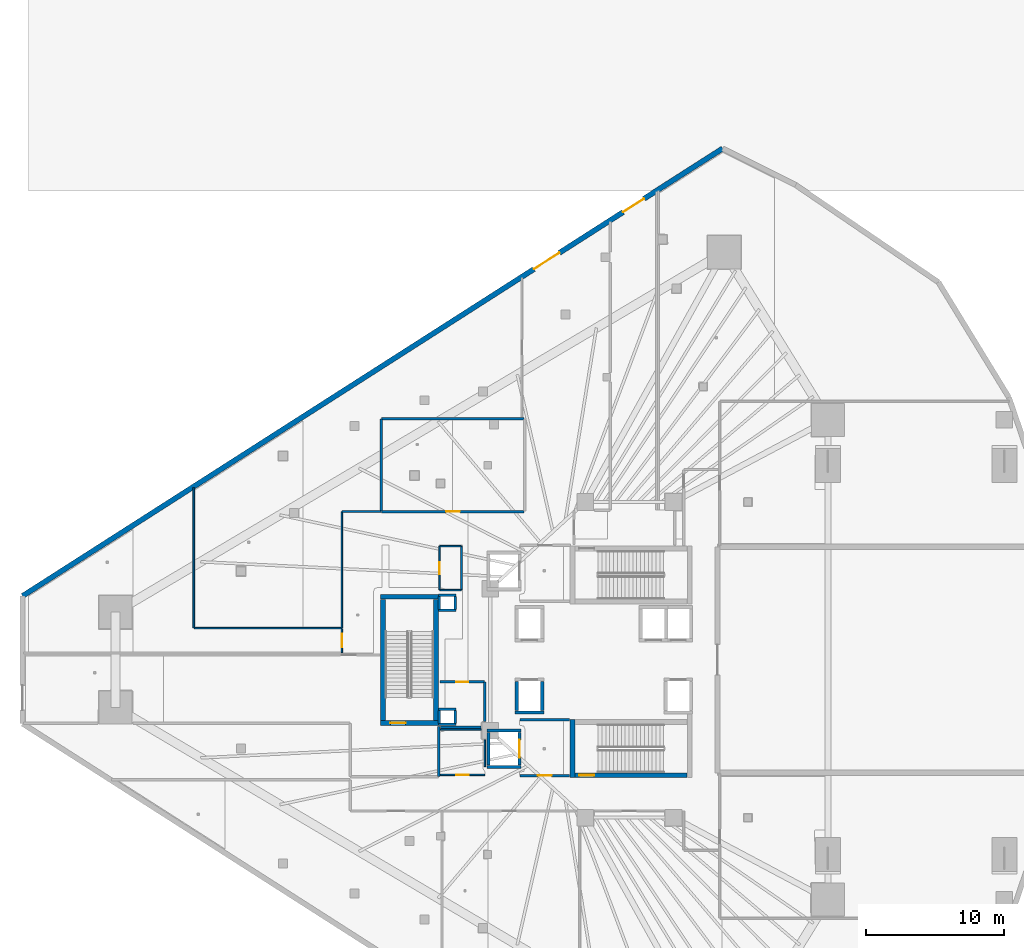
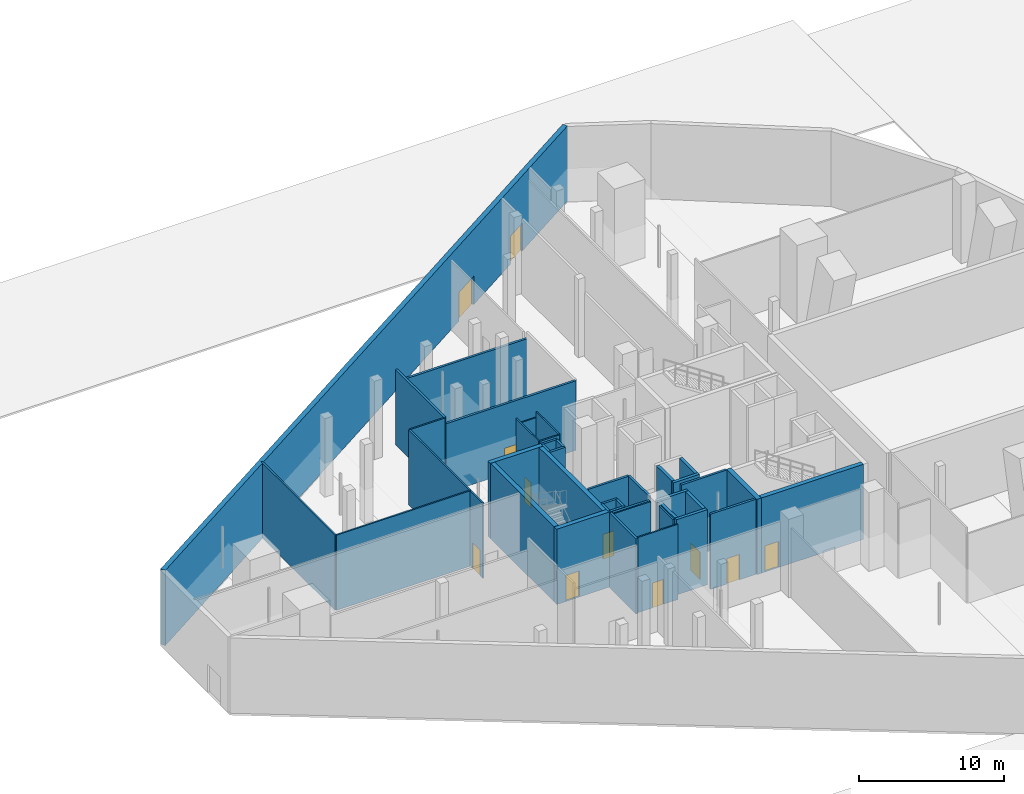
# One storey, part 27 of 45: 43 walls, 11 doors, 11 openings.
"""IFC4 building model written with IfcOpenShell, lengths in metres."""

from ifc_helpers import new_model, si_unit, direction, frame, frame_2d, origin, place, context, subcontext, project, spatial, rectangle, extrude, material, layer, layer_set, type_object, element, fill, save


model = new_model("IFC4")

# Units and contexts
model_context = context("Model", 3, precision=1e-05, world=origin(), true_north=direction((0.0, 1.0)))
body_context = subcontext(model_context, "Body", "Model", "MODEL_VIEW")
ifc_project = project(units=[si_unit("LENGTHUNIT", "METRE"), si_unit("AREAUNIT", "SQUARE_METRE"), si_unit("VOLUMEUNIT", "CUBIC_METRE"), si_unit("PLANEANGLEUNIT", "RADIAN"), si_unit("MASSUNIT", "GRAM", prefix="KILO")], contexts=[model_context])

# Site, building, storey
site_placement = place(None, origin())
site = spatial("IfcSite", under=ifc_project, at=site_placement, CompositionType="ELEMENT")
building_placement = place(site_placement, origin())
building = spatial("IfcBuilding", under=site, at=building_placement, Name="Qorvath Tower", CompositionType="ELEMENT")
storey_placement = place(building_placement, origin())
storey = spatial("IfcBuildingStorey", under=building, at=storey_placement, Name="L00", CompositionType="ELEMENT", Elevation=0.0)

# Walls
ifc_material_1 = material(Name="Gypsum shaftliner on steel studs", Category="steel")
ifc_layer_1 = layer(ifc_material_1, 0.179931640625)
ifc_layer_set_1 = layer_set([ifc_layer_1], Name="FW-LOBBY")
wall_type_1 = type_object("IfcWallType", Name="FW-LOBBY", PredefinedType="PARTITIONING", material=ifc_layer_set_1)
for number, where, z_axis, x_axis, name in (
    (1, (-32.989990234375, 3.594970703125, 0.0), (0.0, 0.0, 1.0), (-1.0, 0.0, 0.0), "MEP Riser Shaft Enclosure Wall N-L00-S"),
    (2, (-34.260009765625, 4.675048828125, 0.0), (0.0, 0.0, 1.0), (1.0, 0.0, 0.0), "MEP Riser Shaft Enclosure Wall N-L00-N"),
):
    element("IfcWall", number, at=place(storey_placement, frame(where, z_axis=z_axis, x_axis=x_axis)), inside=storey, type_object=wall_type_1, Name=name, PredefinedType="PARTITIONING", context=body_context, shape_type="SweptSolid", body=[
        extrude(rectangle(XDim=1.27001953125, YDim=0.179931640625, at=frame_2d((0.635009765625, 0.0))), origin(), (0.0, 0.0, 1.0), 6.340087890625),
    ])
for number, where, z_axis, x_axis, name in (
    (3, (-34.205078125, 3.659912109375, 0.0), (0.0, 0.0, 1.0), (0.0, 1.0, 0.0), "MEP Riser Shaft Enclosure Wall N-L00-W"),
    (4, (-33.044921875, 4.610107421875, 0.0), (0.0, 0.0, 1.0), (0.0, -1.0, 0.0), "MEP Riser Shaft Enclosure Wall N-L00-E"),
):
    element("IfcWall", number, at=place(storey_placement, frame(where, z_axis=z_axis, x_axis=x_axis)), inside=storey, type_object=wall_type_1, Name=name, PredefinedType="PARTITIONING", context=body_context, shape_type="SweptSolid", body=[
        extrude(rectangle(XDim=0.9501953125, YDim=0.179931640625, at=frame_2d((0.47509765625, 0.0))), origin(), (0.0, 0.0, 1.0), 6.340087890625),
    ])
for number, where, z_axis, x_axis, name in (
    (5, (-32.989990234375, -4.675048828125, 0.0), (0.0, 0.0, 1.0), (-1.0, 0.0, 0.0), "MEP Riser Shaft Enclosure Wall S-L00-S"),
    (6, (-34.260009765625, -3.594970703125, 0.0), (0.0, 0.0, 1.0), (1.0, 0.0, 0.0), "MEP Riser Shaft Enclosure Wall S-L00-N"),
):
    element("IfcWall", number, at=place(storey_placement, frame(where, z_axis=z_axis, x_axis=x_axis)), inside=storey, type_object=wall_type_1, Name=name, PredefinedType="PARTITIONING", context=body_context, shape_type="SweptSolid", body=[
        extrude(rectangle(XDim=1.27001953125, YDim=0.179931640625, at=frame_2d((0.635009765625, 0.0))), origin(), (0.0, 0.0, 1.0), 6.340087890625),
    ])
for number, where, z_axis, x_axis, name in (
    (7, (-34.205078125, -4.610107421875, 0.0), (0.0, 0.0, 1.0), (0.0, 1.0, 0.0), "MEP Riser Shaft Enclosure Wall S-L00-W"),
    (8, (-33.044921875, -3.659912109375, 0.0), (0.0, 0.0, 1.0), (0.0, -1.0, 0.0), "MEP Riser Shaft Enclosure Wall S-L00-E"),
):
    element("IfcWall", number, at=place(storey_placement, frame(where, z_axis=z_axis, x_axis=x_axis)), inside=storey, type_object=wall_type_1, Name=name, PredefinedType="PARTITIONING", context=body_context, shape_type="SweptSolid", body=[
        extrude(rectangle(XDim=0.9501953125, YDim=0.179931640625, at=frame_2d((0.47509765625, 0.0))), origin(), (0.0, 0.0, 1.0), 6.340087890625),
    ])
wall_1_placement = place(storey_placement, frame((-34.219970703125, -8.47509765625, 0.0), z_axis=(0.0, 0.0, 1.0), x_axis=(0.0, 1.0, 0.0)))
element("IfcWall", 9, at=wall_1_placement, inside=storey, type_object=wall_type_1, Name="Interior Partition IW-T1-L00-002", PredefinedType="PARTITIONING", context=body_context, shape_type="SweptSolid", body=[
    extrude(rectangle(XDim=3.635009765625, YDim=0.179931640625, at=frame_2d((1.8173828125, 0.0))), origin(), (0.0, 0.0, 1.0), 6.340087890625),
])

# Wall, opening, door
wall_2_placement = place(storey_placement, frame((-28.35498046875, -8.39990234375, 0.0), z_axis=(0.0, 0.0, 1.0), x_axis=(1.0, 0.0, 0.0)))
wall_2 = element("IfcWall", 10, at=wall_2_placement, inside=storey, type_object=wall_type_1, Name="Interior Partition IW-T1-L00-016", PredefinedType="PARTITIONING", context=body_context, shape_type="SweptSolid", body=[
    extrude(rectangle(XDim=3.6220703125, YDim=0.179931640625, at=frame_2d((1.81103515625, 0.0))), origin(), (0.0, 0.0, 1.0), 6.340087890625),
])
opening_1_placement = place(wall_2_placement, frame((1.31103515625, 0.0, 0.0)))
opening_1 = element("IfcOpeningElement", 11, at=opening_1_placement, cuts=wall_2, Name="Opening D-T1-L00-15", PredefinedType="OPENING", context=body_context, shape_type="SweptSolid", body=[
    extrude(rectangle(XDim=1.0, YDim=2.14990234375, at=frame_2d((0.5, 1.074951171875))), frame((0.0, 0.10009765625, 0.0), z_axis=(0.0, -1.0, 0.0), x_axis=(1.0, 0.0, 0.0)), (0.0, 0.0, 1.0), 0.199951171875),
])
ifc_material_2 = material(Name="Painted galvanised hollow metal", Category="steel")
door_type_1 = type_object("IfcDoorType", Name="FD-60", OperationType="NOTDEFINED", PredefinedType="DOOR", material=ifc_material_2)
door_1_placement = place(opening_1_placement, origin())
door_1 = element("IfcDoor", 12, at=door_1_placement, inside=storey, type_object=door_type_1, Name="Lobby Fire Service Elevator South Door D-T1-L00-15", OperationType="SINGLE_SWING_LEFT", OverallHeight=2.14990234375, OverallWidth=1.0, PredefinedType="DOOR", context=body_context, shape_type="SweptSolid", body=[
    extrude(rectangle(XDim=1.0, YDim=2.14990234375, at=frame_2d((0.5, 1.074951171875))), frame((0.0, 0.02490234375, 0.0), z_axis=(0.0, -1.0, 0.0), x_axis=(1.0, 0.0, 0.0)), (0.0, 0.0, 1.0), 0.050048828125),
])
fill(opening_1, door_1)

# Walls
wall_3_placement = place(storey_placement, frame((-24.73291015625, -4.35009765625, 0.0), z_axis=(0.0, 0.0, 1.0), x_axis=(-1.0, 0.0, 0.0)))
element("IfcWall", 13, at=wall_3_placement, inside=storey, type_object=wall_type_1, Name="Interior Partition IW-T1-L00-017", PredefinedType="PARTITIONING", context=body_context, shape_type="SweptSolid", body=[
    extrude(rectangle(XDim=3.6220703125, YDim=0.179931640625, at=frame_2d((1.81103515625, 0.0))), origin(), (0.0, 0.0, 1.0), 6.340087890625),
])
wall_4_placement = place(storey_placement, frame((-34.110107421875, -4.89990234375, 0.0), z_axis=(0.0, 0.0, 1.0), x_axis=(1.0, 0.0, 0.0)))
element("IfcWall", 14, at=wall_4_placement, inside=storey, type_object=wall_type_1, Name="Interior Partition IW-T1-L00-030", PredefinedType="PARTITIONING", context=body_context, shape_type="SweptSolid", body=[
    extrude(rectangle(XDim=2.945068359375, YDim=0.179931640625, at=frame_2d((1.47265625, 0.0))), origin(), (0.0, 0.0, 1.0), 6.340087890625),
])
wall_5_placement = place(storey_placement, frame((-30.8798828125, -4.485107421875, 0.0), z_axis=(0.0, 0.0, 1.0), x_axis=(0.0, 1.0, 0.0)))
element("IfcWall", 15, at=wall_5_placement, inside=storey, type_object=wall_type_1, Name="Interior Partition IW-T1-L00-031", PredefinedType="PARTITIONING", context=body_context, shape_type="SweptSolid", body=[
    extrude(rectangle(XDim=2.860107421875, YDim=0.179931640625, at=frame_2d((1.43017578125, 0.0))), origin(), (0.0, 0.0, 1.0), 6.340087890625),
])

# Wall, opening, door
wall_6_placement = place(storey_placement, frame((-30.90478515625, -1.60009765625, 0.0), z_axis=(0.0, 0.0, 1.0), x_axis=(-1.0, 0.0, 0.0)))
wall_6 = element("IfcWall", 16, at=wall_6_placement, inside=storey, type_object=wall_type_1, Name="Interior Partition IW-T1-L00-032", PredefinedType="PARTITIONING", context=body_context, shape_type="SweptSolid", body=[
    extrude(rectangle(XDim=3.25, YDim=0.179931640625, at=frame_2d((1.625, 0.0))), origin(), (0.0, 0.0, 1.0), 6.340087890625),
])
opening_2_placement = place(wall_6_placement, frame((1.18505859375, 0.0, 0.0)))
opening_2 = element("IfcOpeningElement", 17, at=opening_2_placement, cuts=wall_6, Name="Opening D-T1-L00-05", PredefinedType="OPENING", context=body_context, shape_type="SweptSolid", body=[
    extrude(rectangle(XDim=0.8798828125, YDim=2.10009765625, at=frame_2d((0.43994140625, 1.050048828125))), frame((0.0, 0.10009765625, 0.0), z_axis=(0.0, -1.0, 0.0), x_axis=(1.0, 0.0, 0.0)), (0.0, 0.0, 1.0), 0.199951171875),
])
ifc_material_3 = material(Name="Painted galvanised hollow metal", Category="steel")
door_type_2 = type_object("IfcDoorType", Name="FD-60N", OperationType="NOTDEFINED", PredefinedType="DOOR", material=ifc_material_3)
door_2_placement = place(opening_2_placement, origin())
door_2 = element("IfcDoor", 18, at=door_2_placement, inside=storey, type_object=door_type_2, Name="Core electrical room L00 Door D-T1-L00-05", OperationType="SINGLE_SWING_LEFT", OverallHeight=2.10009765625, OverallWidth=0.8798828125, PredefinedType="DOOR", context=body_context, shape_type="SweptSolid", body=[
    extrude(rectangle(XDim=0.8798828125, YDim=2.10009765625, at=frame_2d((0.43994140625, 1.050048828125))), frame((0.0, 0.02490234375, 0.0), z_axis=(0.0, -1.0, 0.0), x_axis=(1.0, 0.0, 0.0)), (0.0, 0.0, 1.0), 0.050048828125),
])
fill(opening_2, door_2)

wall_7_placement = place(storey_placement, frame((-38.375, 10.758056640625, 0.0), z_axis=(0.0, 0.0, 1.0), x_axis=(1.0, 0.0, 0.0)))
wall_7 = element("IfcWall", 19, at=wall_7_placement, inside=storey, type_object=wall_type_1, Name="Interior Partition IW-T1-L00-033", PredefinedType="PARTITIONING", context=body_context, shape_type="SweptSolid", body=[
    extrude(rectangle(XDim=10.341796875, YDim=0.179931640625, at=frame_2d((5.1708984375, 0.0))), origin(), (0.0, 0.0, 1.0), 5.85302734375),
])
opening_3_placement = place(wall_7_placement, frame((4.6708984375, 0.0, 0.0)))
opening_3 = element("IfcOpeningElement", 20, at=opening_3_placement, cuts=wall_7, Name="Opening D-T1-L00-06", PredefinedType="OPENING", context=body_context, shape_type="SweptSolid", body=[
    extrude(rectangle(XDim=1.0, YDim=2.14990234375, at=frame_2d((0.5, 1.074951171875))), frame((0.0, 0.10009765625, 0.0), z_axis=(0.0, -1.0, 0.0), x_axis=(1.0, 0.0, 0.0)), (0.0, 0.0, 1.0), 0.199951171875),
])
door_3_placement = place(opening_3_placement, origin())
door_3 = element("IfcDoor", 21, at=door_3_placement, inside=storey, type_object=door_type_1, Name="Fire Command Center Door D-T1-L00-06", OperationType="SINGLE_SWING_RIGHT", OverallHeight=2.14990234375, OverallWidth=1.0, PredefinedType="DOOR", context=body_context, shape_type="SweptSolid", body=[
    extrude(rectangle(XDim=1.0, YDim=2.14990234375, at=frame_2d((0.5, 1.074951171875))), frame((0.0, 0.02490234375, 0.0), z_axis=(0.0, -1.0, 0.0), x_axis=(1.0, 0.0, 0.0)), (0.0, 0.0, 1.0), 0.050048828125),
])
fill(opening_3, door_3)

# Walls
wall_8_placement = place(storey_placement, frame((-28.033203125, 17.5, 0.0), z_axis=(0.0, 0.0, 1.0), x_axis=(-1.0, 0.0, 0.0)))
element("IfcWall", 22, at=wall_8_placement, inside=storey, type_object=wall_type_1, Name="Interior Partition IW-T1-L00-035", PredefinedType="PARTITIONING", context=body_context, shape_type="SweptSolid", body=[
    extrude(rectangle(XDim=10.341796875, YDim=0.179931640625, at=frame_2d((5.1708984375, 0.0))), origin(), (0.0, 0.0, 1.0), 5.31005859375),
])
wall_9_placement = place(storey_placement, frame((-38.39990234375, 17.47509765625, 0.0), z_axis=(0.0, 0.0, 1.0), x_axis=(0.0, -1.0, 0.0)))
element("IfcWall", 23, at=wall_9_placement, inside=storey, type_object=wall_type_1, Name="Interior Partition IW-T1-L00-036", PredefinedType="PARTITIONING", context=body_context, shape_type="SweptSolid", body=[
    extrude(rectangle(XDim=6.69189453125, YDim=0.179931640625, at=frame_2d((3.345947265625, 0.0))), origin(), (0.0, 0.0, 1.0), 6.340087890625),
])
ifc_material_4 = material(Name="Gypsum board on metal studs with mineral wool", Category="gypsum")
ifc_layer_2 = layer(ifc_material_4, 0.125)
ifc_layer_set_2 = layer_set([ifc_layer_2], Name="IW-PART-125")
wall_type_2 = type_object("IfcWallType", Name="IW-PART-125", PredefinedType="PARTITIONING", material=ifc_layer_set_2)
wall_10_placement = place(storey_placement, frame((-52.0, 12.494384765625, 0.0), z_axis=(0.0, 0.0, 1.0), x_axis=(0.0, -1.0, 0.0)))
element("IfcWall", 24, at=wall_10_placement, inside=storey, type_object=wall_type_2, Name="Interior Partition IW-T1-L00-049", PredefinedType="PARTITIONING", context=body_context, shape_type="SweptSolid", body=[
    extrude(rectangle(XDim=10.16943359375, YDim=0.125, at=frame_2d((5.084716796875, 0.0))), origin(), (0.0, 0.0, 1.0), 6.340087890625),
])
wall_11_placement = place(storey_placement, frame((-51.97509765625, 2.300048828125, 0.0), z_axis=(0.0, 0.0, 1.0), x_axis=(1.0, 0.0, 0.0)))
element("IfcWall", 25, at=wall_11_placement, inside=storey, type_object=wall_type_2, Name="Interior Partition IW-T1-L00-050", PredefinedType="PARTITIONING", context=body_context, shape_type="SweptSolid", body=[
    extrude(rectangle(XDim=10.69189453125, YDim=0.125, at=frame_2d((5.345947265625, 0.0))), origin(), (0.0, 0.0, 1.0), 6.340087890625),
])
wall_12_placement = place(storey_placement, frame((-41.258056640625, 2.324951171875, 0.0), z_axis=(0.0, 0.0, 1.0), x_axis=(0.0, 1.0, 0.0)))
element("IfcWall", 26, at=wall_12_placement, inside=storey, type_object=wall_type_2, Name="Interior Partition IW-T1-L00-051", PredefinedType="PARTITIONING", context=body_context, shape_type="SweptSolid", body=[
    extrude(rectangle(XDim=8.408203125, YDim=0.125, at=frame_2d((4.2041015625, 0.0))), origin(), (0.0, 0.0, 1.0), 6.340087890625),
])
wall_13_placement = place(storey_placement, frame((-41.233154296875, 10.758056640625, 0.0), z_axis=(0.0, 0.0, 1.0), x_axis=(1.0, 0.0, 0.0)))
element("IfcWall", 27, at=wall_13_placement, inside=storey, type_object=wall_type_2, Name="Interior Partition IW-T1-L00-052", PredefinedType="PARTITIONING", context=body_context, shape_type="SweptSolid", body=[
    extrude(rectangle(XDim=2.800048828125, YDim=0.125, at=frame_2d((1.39990234375, 0.0))), origin(), (0.0, 0.0, 1.0), 6.340087890625),
])

# Wall, opening, door
wall_14_placement = place(storey_placement, frame((-41.258056640625, 0.52490234375, 0.0), z_axis=(0.0, 0.0, 1.0), x_axis=(0.0, 1.0, 0.0)))
wall_14 = element("IfcWall", 28, at=wall_14_placement, inside=storey, type_object=wall_type_2, Name="Interior Partition IW-T1-L00-054", PredefinedType="PARTITIONING", context=body_context, shape_type="SweptSolid", body=[
    extrude(rectangle(XDim=1.7421875, YDim=0.125, at=frame_2d((0.87109375, 0.0))), origin(), (0.0, 0.0, 1.0), 6.340087890625),
])
opening_4_placement = place(wall_14_placement, frame((0.37109375, 0.0, 0.0)))
opening_4 = element("IfcOpeningElement", 29, at=opening_4_placement, cuts=wall_14, Name="Opening D-T1-L00-12", PredefinedType="OPENING", context=body_context, shape_type="SweptSolid", body=[
    extrude(rectangle(XDim=1.0, YDim=2.14990234375, at=frame_2d((0.5, 1.074951171875))), frame((0.0, 0.072509765625, 0.0), z_axis=(0.0, -1.0, 0.0), x_axis=(1.0, 0.0, 0.0)), (0.0, 0.0, 1.0), 0.14501953125),
])
door_4_placement = place(opening_4_placement, origin())
door_4 = element("IfcDoor", 30, at=door_4_placement, inside=storey, type_object=door_type_1, Name="Tenant Package and Logistics Suite Door D-T1-L00-12", OperationType="SINGLE_SWING_RIGHT", OverallHeight=2.14990234375, OverallWidth=1.0, PredefinedType="DOOR", context=body_context, shape_type="SweptSolid", body=[
    extrude(rectangle(XDim=1.0, YDim=2.14990234375, at=frame_2d((0.5, 1.074951171875))), frame((0.0, 0.02490234375, 0.0), z_axis=(0.0, -1.0, 0.0), x_axis=(1.0, 0.0, 0.0)), (0.0, 0.0, 1.0), 0.050048828125),
])
fill(opening_4, door_4)

ifc_material_5 = material(Name="Moisture-resistant cement board on metal studs", Category="gypsum")
ifc_layer_3 = layer(ifc_material_5, 0.110107421875)
ifc_layer_set_3 = layer_set([ifc_layer_3], Name="IW-WC-110")
wall_type_3 = type_object("IfcWallType", Name="IW-WC-110", PredefinedType="PARTITIONING", material=ifc_layer_set_3)
wall_15_placement = place(storey_placement, frame((-34.179931640625, 8.22509765625, 0.0), z_axis=(0.0, 0.0, 1.0), x_axis=(0.0, -1.0, 0.0)))
wall_15 = element("IfcWall", 31, at=wall_15_placement, inside=storey, type_object=wall_type_3, Name="Interior Partition IW-T1-L00-018", PredefinedType="PARTITIONING", context=body_context, shape_type="SweptSolid", body=[
    extrude(rectangle(XDim=3.150146484375, YDim=0.110107421875, at=frame_2d((1.5751953125, 0.0))), origin(), (0.0, 0.0, 1.0), 6.340087890625),
])
opening_5_placement = place(wall_15_placement, frame((1.135009765625, 0.0, 0.0)))
opening_5 = element("IfcOpeningElement", 32, at=opening_5_placement, cuts=wall_15, Name="Opening D-T1-L00-03", PredefinedType="OPENING", context=body_context, shape_type="SweptSolid", body=[
    extrude(rectangle(XDim=0.8798828125, YDim=2.10009765625, at=frame_2d((0.43994140625, 1.050048828125))), frame((0.0, 0.06494140625, 0.0), z_axis=(0.0, -1.0, 0.0), x_axis=(1.0, 0.0, 0.0)), (0.0, 0.0, 1.0), 0.130126953125),
])
ifc_material_6 = material(Name="Solid-core oak with acoustic drop seal", Category="wood")
door_type_3 = type_object("IfcDoorType", Name="D-02", OperationType="NOTDEFINED", PredefinedType="DOOR", material=ifc_material_6)
door_5_placement = place(opening_5_placement, origin())
door_5 = element("IfcDoor", 33, at=door_5_placement, inside=storey, type_object=door_type_3, Name="WC All-Gender North L00 Door D-T1-L00-03", OperationType="SINGLE_SWING_LEFT", OverallHeight=2.10009765625, OverallWidth=0.8798828125, PredefinedType="DOOR", context=body_context, shape_type="SweptSolid", body=[
    extrude(rectangle(XDim=0.8798828125, YDim=2.10009765625, at=frame_2d((0.43994140625, 1.050048828125))), frame((0.0, 0.02490234375, 0.0), z_axis=(0.0, -1.0, 0.0), x_axis=(1.0, 0.0, 0.0)), (0.0, 0.0, 1.0), 0.050048828125),
])
fill(opening_5, door_5)

# Walls
wall_16_placement = place(storey_placement, frame((-34.15478515625, 5.050048828125, 0.0), z_axis=(0.0, 0.0, 1.0), x_axis=(1.0, 0.0, 0.0)))
element("IfcWall", 34, at=wall_16_placement, inside=storey, type_object=wall_type_3, Name="Interior Partition IW-T1-L00-019", PredefinedType="PARTITIONING", context=body_context, shape_type="SweptSolid", body=[
    extrude(rectangle(XDim=1.5498046875, YDim=0.110107421875, at=frame_2d((0.77490234375, 0.0))), origin(), (0.0, 0.0, 1.0), 6.340087890625),
])
wall_17_placement = place(storey_placement, frame((-32.580078125, 5.074951171875, 0.0), z_axis=(0.0, 0.0, 1.0), x_axis=(0.0, 1.0, 0.0)))
element("IfcWall", 35, at=wall_17_placement, inside=storey, type_object=wall_type_3, Name="Interior Partition IW-T1-L00-020", PredefinedType="PARTITIONING", context=body_context, shape_type="SweptSolid", body=[
    extrude(rectangle(XDim=3.150146484375, YDim=0.110107421875, at=frame_2d((1.5751953125, 0.0))), origin(), (0.0, 0.0, 1.0), 6.340087890625),
])
wall_18_placement = place(storey_placement, frame((-32.60498046875, 8.25, 0.0), z_axis=(0.0, 0.0, 1.0), x_axis=(-1.0, 0.0, 0.0)))
element("IfcWall", 36, at=wall_18_placement, inside=storey, type_object=wall_type_3, Name="Interior Partition IW-T1-L00-021", PredefinedType="PARTITIONING", context=body_context, shape_type="SweptSolid", body=[
    extrude(rectangle(XDim=1.5498046875, YDim=0.110107421875, at=frame_2d((0.77490234375, 0.0))), origin(), (0.0, 0.0, 1.0), 5.85302734375),
])

# Wall, opening, door
wall_19_placement = place(storey_placement, frame((-34.110107421875, -8.35009765625, 0.0), z_axis=(0.0, 0.0, 1.0), x_axis=(1.0, 0.0, 0.0)))
wall_19 = element("IfcWall", 37, at=wall_19_placement, inside=storey, type_object=wall_type_3, Name="Interior Partition IW-T1-L00-022", PredefinedType="PARTITIONING", context=body_context, shape_type="SweptSolid", body=[
    extrude(rectangle(XDim=3.205322265625, YDim=0.110107421875, at=frame_2d((1.6025390625, 0.0))), origin(), (0.0, 0.0, 1.0), 6.340087890625),
])
opening_6_placement = place(wall_19_placement, frame((1.16259765625, 0.0, 0.0)))
opening_6 = element("IfcOpeningElement", 38, at=opening_6_placement, cuts=wall_19, Name="Opening D-T1-L00-16", PredefinedType="OPENING", context=body_context, shape_type="SweptSolid", body=[
    extrude(rectangle(XDim=0.8798828125, YDim=2.10009765625, at=frame_2d((0.43994140625, 1.050048828125))), frame((0.0, 0.06494140625, 0.0), z_axis=(0.0, -1.0, 0.0), x_axis=(1.0, 0.0, 0.0)), (0.0, 0.0, 1.0), 0.130126953125),
])
door_6_placement = place(opening_6_placement, origin())
door_6 = element("IfcDoor", 39, at=door_6_placement, inside=storey, type_object=door_type_2, Name="Accessible WC South L00 Door D-T1-L00-16", OperationType="SINGLE_SWING_RIGHT", OverallHeight=2.10009765625, OverallWidth=0.8798828125, PredefinedType="DOOR", context=body_context, shape_type="SweptSolid", body=[
    extrude(rectangle(XDim=0.8798828125, YDim=2.10009765625, at=frame_2d((0.43994140625, 1.050048828125))), frame((0.0, 0.02490234375, 0.0), z_axis=(0.0, -1.0, 0.0), x_axis=(1.0, 0.0, 0.0)), (0.0, 0.0, 1.0), 0.050048828125),
])
fill(opening_6, door_6)

# Walls
wall_20_placement = place(storey_placement, frame((-30.8798828125, -7.742919921875, 0.0), z_axis=(0.0, 0.0, 1.0), x_axis=(0.0, 1.0, 0.0)))
element("IfcWall", 40, at=wall_20_placement, inside=storey, type_object=wall_type_3, Name="Interior Partition IW-T1-L00-023", PredefinedType="PARTITIONING", context=body_context, shape_type="SweptSolid", body=[
    extrude(rectangle(XDim=1.927978515625, YDim=0.110107421875, at=frame_2d((0.9638671875, 0.0))), origin(), (0.0, 0.0, 1.0), 6.340087890625),
])
wall_21_placement = place(storey_placement, frame((-31.1650390625, -5.050048828125, 0.0), z_axis=(0.0, 0.0, 1.0), x_axis=(-1.0, 0.0, 0.0)))
element("IfcWall", 41, at=wall_21_placement, inside=storey, type_object=wall_type_3, Name="Interior Partition IW-T1-L00-024", PredefinedType="PARTITIONING", context=body_context, shape_type="SweptSolid", body=[
    extrude(rectangle(XDim=2.945068359375, YDim=0.110107421875, at=frame_2d((1.47265625, 0.0))), origin(), (0.0, 0.0, 1.0), 6.340087890625),
])
ifc_material_7 = material(Name="Concrete C60/75", Category="concrete")
ifc_layer_4 = layer(ifc_material_7, 0.260009765625)
ifc_layer_set_4 = layer_set([ifc_layer_4], Name="SW-SHAFT")
wall_type_4 = type_object("IfcWallType", Name="SW-SHAFT", PredefinedType="SHEAR", material=ifc_layer_set_4)
for number, where, z_axis, x_axis, name in (
    (42, (-28.260009765625, -7.77001953125, 0.0), (0.0, 0.0, 1.0), (-1.0, 0.0, 0.0), "Hoistway Wall FSAE-2 L00 S"),
    (43, (-30.739990234375, -5.1298828125, 0.0), (0.0, 0.0, 1.0), (1.0, 0.0, 0.0), "Hoistway Wall FSAE-2 L00 N"),
):
    element("IfcWall", number, at=place(storey_placement, frame(where, z_axis=z_axis, x_axis=x_axis)), inside=storey, type_object=wall_type_4, Name=name, PredefinedType="SHEAR", context=body_context, shape_type="SweptSolid", body=[
        extrude(rectangle(XDim=2.47998046875, YDim=0.239990234375, at=frame_2d((1.239990234375, 0.0))), origin(), (0.0, 0.0, 1.0), 6.340087890625),
    ])
wall_22_placement = place(storey_placement, frame((-30.6201171875, -7.637939453125, 0.0), z_axis=(0.0, 0.0, 1.0), x_axis=(0.0, 1.0, 0.0)))
element("IfcWall", 44, at=wall_22_placement, inside=storey, type_object=wall_type_4, Name="Hoistway Wall FSAE-2 L00 W", PredefinedType="SHEAR", context=body_context, shape_type="SweptSolid", body=[
    extrude(rectangle(XDim=2.3759765625, YDim=0.239990234375, at=frame_2d((1.18798828125, 0.0))), origin(), (0.0, 0.0, 1.0), 6.340087890625),
])

# Wall, opening, door
wall_23_placement = place(storey_placement, frame((-28.3798828125, -5.261962890625, 0.0), z_axis=(0.0, 0.0, 1.0), x_axis=(0.0, -1.0, 0.0)))
wall_23 = element("IfcWall", 45, at=wall_23_placement, inside=storey, type_object=wall_type_4, Name="Hoistway Wall FSAE-2 L00 E", PredefinedType="SHEAR", context=body_context, shape_type="SweptSolid", body=[
    extrude(rectangle(XDim=2.3759765625, YDim=0.239990234375, at=frame_2d((1.18798828125, 0.0))), origin(), (0.0, 0.0, 1.0), 6.340087890625),
])
opening_7_placement = place(wall_23_placement, frame((0.5380859375, 0.0, 0.0)))
opening_7 = element("IfcOpeningElement", 46, at=opening_7_placement, cuts=wall_23, Name="Opening LD-FSAE-2-L00", PredefinedType="OPENING", context=body_context, shape_type="SweptSolid", body=[
    extrude(rectangle(XDim=1.300048828125, YDim=2.300048828125, at=frame_2d((0.64990234375, 1.14990234375))), frame((0.0, 0.1298828125, 0.0), z_axis=(0.0, -1.0, 0.0), x_axis=(1.0, 0.0, 0.0)), (0.0, 0.0, 1.0), 0.260009765625),
])
ifc_material_8 = material(Name="Brushed stainless steel AISI 316", Category="steel")
door_type_4 = type_object("IfcDoorType", Name="LD-02", OperationType="NOTDEFINED", PredefinedType="DOOR", material=ifc_material_8)
door_7_placement = place(opening_7_placement, origin())
door_7 = element("IfcDoor", 47, at=door_7_placement, inside=storey, type_object=door_type_4, Name="Elevator Landing Sliding Door LD-FSAE-2-L00", OperationType="DOUBLE_DOOR_SLIDING", OverallHeight=2.300048828125, OverallWidth=1.300048828125, PredefinedType="DOOR", context=body_context, shape_type="SweptSolid", body=[
    extrude(rectangle(XDim=1.300048828125, YDim=2.300048828125, at=frame_2d((0.64990234375, 1.14990234375))), frame((0.0, 0.02490234375, 0.0), z_axis=(0.0, -1.0, 0.0), x_axis=(1.0, 0.0, 0.0)), (0.0, 0.0, 1.0), 0.050048828125),
])
fill(opening_7, door_7)

# Walls
wall_24_placement = place(storey_placement, frame((-26.610107421875, -3.820068359375, 0.0), z_axis=(0.0, 0.0, 1.0), x_axis=(-1.0, 0.0, 0.0)))
element("IfcWall", 48, at=wall_24_placement, inside=storey, type_object=wall_type_4, Name="Hoistway Wall PS-2 L00 S", PredefinedType="SHEAR", context=body_context, shape_type="SweptSolid", body=[
    extrude(rectangle(XDim=2.079833984375, YDim=0.239990234375, at=frame_2d((1.0400390625, 0.0))), origin(), (0.0, 0.0, 1.0), 6.340087890625),
])
for number, where, z_axis, x_axis, name in (
    (49, (-28.570068359375, -3.68798828125, 0.0), (0.0, 0.0, 1.0), (0.0, 1.0, 0.0), "Hoistway Wall PS-2 L00 W"),
    (50, (-26.72998046875, -1.56201171875, 0.0), (0.0, 0.0, 1.0), (0.0, -1.0, 0.0), "Hoistway Wall PS-2 L00 E"),
):
    element("IfcWall", number, at=place(storey_placement, frame(where, z_axis=z_axis, x_axis=x_axis)), inside=storey, type_object=wall_type_4, Name=name, PredefinedType="SHEAR", context=body_context, shape_type="SweptSolid", body=[
        extrude(rectangle(XDim=2.1259765625, YDim=0.239990234375, at=frame_2d((1.06298828125, 0.0))), origin(), (0.0, 0.0, 1.0), 6.340087890625),
    ])
ifc_material_9 = material(Name="Concrete C60/75", Category="concrete")
ifc_layer_5 = layer(ifc_material_9, 0.35009765625)
ifc_layer_set_5 = layer_set([ifc_layer_5], Name="SW-STAIR")
wall_type_5 = type_object("IfcWallType", Name="SW-STAIR", PredefinedType="SHEAR", material=ifc_layer_set_5)
wall_25_placement = place(storey_placement, frame((-24.52490234375, -4.340087890625, 0.0), z_axis=(0.0, 0.0, 1.0), x_axis=(0.0, -1.0, 0.0)))
element("IfcWall", 51, at=wall_25_placement, inside=storey, type_object=wall_type_5, Name="Stair TS2 Shear Wall L00 NEAR", PredefinedType="SHEAR", context=body_context, shape_type="SweptSolid", body=[
    extrude(rectangle(XDim=4.2099609375, YDim=0.35009765625, at=frame_2d((2.10498046875, 0.0))), origin(), (0.0, 0.0, 1.0), 6.340087890625),
])

# Wall, opening, door
wall_26_placement = place(storey_placement, frame((-16.215087890625, -8.375, 0.0), z_axis=(0.0, 0.0, 1.0), x_axis=(-1.0, 0.0, 0.0)))
wall_26 = element("IfcWall", 52, at=wall_26_placement, inside=storey, type_object=wall_type_5, Name="Stair TS2 Shear Wall L00 LEFT", PredefinedType="SHEAR", context=body_context, shape_type="SweptSolid", body=[
    extrude(rectangle(XDim=8.119873046875, YDim=0.35009765625, at=frame_2d((4.06005859375, 0.0))), origin(), (0.0, 0.0, 1.0), 6.340087890625),
])
opening_8_placement = place(wall_26_placement, frame((6.739990234375, 0.0, 0.0)))
opening_8 = element("IfcOpeningElement", 53, at=opening_8_placement, cuts=wall_26, Name="Opening D-TS2-L00", PredefinedType="OPENING", context=body_context, shape_type="SweptSolid", body=[
    extrude(rectangle(XDim=1.10009765625, YDim=2.199951171875, at=frame_2d((0.550048828125, 1.10009765625))), frame((0.0, 0.18505859375, 0.0), z_axis=(0.0, -1.0, 0.0), x_axis=(1.0, 0.0, 0.0)), (0.0, 0.0, 1.0), 0.3701171875),
])
ifc_material_10 = material(Name="Painted galvanised hollow metal", Category="steel")
door_type_5 = type_object("IfcDoorType", Name="FD-90", OperationType="NOTDEFINED", PredefinedType="DOOR", material=ifc_material_10)
door_8_placement = place(opening_8_placement, origin())
door_8 = element("IfcDoor", 54, at=door_8_placement, inside=storey, type_object=door_type_5, Name="Stair TS2 Fire Door L00", OperationType="SINGLE_SWING_LEFT", OverallHeight=2.199951171875, OverallWidth=1.10009765625, PredefinedType="DOOR", context=body_context, shape_type="SweptSolid", body=[
    extrude(rectangle(XDim=1.10009765625, YDim=2.199951171875, at=frame_2d((0.550048828125, 1.10009765625))), frame((0.0, 0.02490234375, 0.0), z_axis=(0.0, -1.0, 0.0), x_axis=(1.0, 0.0, 0.0)), (0.0, 0.0, 1.0), 0.050048828125),
])
fill(opening_8, door_8)

wall_27_placement = place(storey_placement, frame((-34.25, -4.574951171875, 0.0), z_axis=(0.0, 0.0, 1.0), x_axis=(-1.0, 0.0, 0.0)))
wall_27 = element("IfcWall", 55, at=wall_27_placement, inside=storey, type_object=wall_type_5, Name="Stair TS3 Shear Wall L00 NEAR", PredefinedType="SHEAR", context=body_context, shape_type="SweptSolid", body=[
    extrude(rectangle(XDim=4.2099609375, YDim=0.35009765625, at=frame_2d((2.10498046875, 0.0))), origin(), (0.0, 0.0, 1.0), 6.340087890625),
])
opening_9_placement = place(wall_27_placement, frame((2.389892578125, 0.0, 0.0)))
opening_9 = element("IfcOpeningElement", 56, at=opening_9_placement, cuts=wall_27, Name="Opening D-TS3-L00", PredefinedType="OPENING", context=body_context, shape_type="SweptSolid", body=[
    extrude(rectangle(XDim=1.10009765625, YDim=2.199951171875, at=frame_2d((0.550048828125, 1.10009765625))), frame((0.0, 0.18505859375, 0.0), z_axis=(0.0, -1.0, 0.0), x_axis=(1.0, 0.0, 0.0)), (0.0, 0.0, 1.0), 0.3701171875),
])
door_9_placement = place(opening_9_placement, origin())
door_9 = element("IfcDoor", 57, at=door_9_placement, inside=storey, type_object=door_type_5, Name="Stair TS3 Fire Door L00", OperationType="SINGLE_SWING_LEFT", OverallHeight=2.199951171875, OverallWidth=1.10009765625, PredefinedType="DOOR", context=body_context, shape_type="SweptSolid", body=[
    extrude(rectangle(XDim=1.10009765625, YDim=2.199951171875, at=frame_2d((0.550048828125, 1.10009765625))), frame((0.0, 0.02490234375, 0.0), z_axis=(0.0, -1.0, 0.0), x_axis=(1.0, 0.0, 0.0)), (0.0, 0.0, 1.0), 0.050048828125),
])
fill(opening_9, door_9)

# Walls
wall_28_placement = place(storey_placement, frame((-34.25, 4.574951171875, 0.0), z_axis=(0.0, 0.0, 1.0), x_axis=(-1.0, 0.0, 0.0)))
element("IfcWall", 58, at=wall_28_placement, inside=storey, type_object=wall_type_5, Name="Stair TS3 Shear Wall L00 FAR", PredefinedType="SHEAR", context=body_context, shape_type="SweptSolid", body=[
    extrude(rectangle(XDim=4.2099609375, YDim=0.35009765625, at=frame_2d((2.10498046875, 0.0))), origin(), (0.0, 0.0, 1.0), 6.340087890625),
])
for number, where, z_axis, x_axis, name in (
    (59, (-34.425048828125, -4.385009765625, 0.0), (0.0, 0.0, 1.0), (0.0, 1.0, 0.0), "Stair TS3 Shear Wall L00 LEFT"),
    (60, (-38.284912109375, 4.385009765625, 0.0), (0.0, 0.0, 1.0), (0.0, -1.0, 0.0), "Stair TS3 Shear Wall L00 RIGHT"),
):
    element("IfcWall", number, at=place(storey_placement, frame(where, z_axis=z_axis, x_axis=x_axis)), inside=storey, type_object=wall_type_5, Name=name, PredefinedType="SHEAR", context=body_context, shape_type="SweptSolid", body=[
        extrude(rectangle(XDim=8.77001953125, YDim=0.35009765625, at=frame_2d((4.385009765625, 0.0))), origin(), (0.0, 0.0, 1.0), 6.340087890625),
    ])

# Wall, openings, doors
ifc_material_11 = material(Name="Precast concrete C50/60", Category="concrete")
ifc_layer_6 = layer(ifc_material_11, 0.3798828125)
ifc_layer_set_6 = layer_set([ifc_layer_6], Name="WL-EW-POD-380")
wall_type_6 = type_object("IfcWallType", Name="WL-EW-POD-380", PredefinedType="SOLIDWALL", material=ifc_layer_set_6)
wall_29_placement = place(storey_placement, frame((-64.419189453125, 4.63671875, 0.0), z_axis=(0.0, 0.0, 1.0), x_axis=(0.842602364841, 0.538536214905, 0.0)))
wall_29 = element("IfcWall", 61, at=wall_29_placement, inside=storey, type_object=wall_type_6, Name="Tower Podium Precast Facade Wall L00-9.1", PredefinedType="SOLIDWALL", context=body_context, shape_type="SweptSolid", body=[
    extrude(rectangle(XDim=60.270263671875, YDim=0.3798828125, at=frame_2d((30.13525390625, 0.0))), origin(), (0.0, 0.0, 1.0), 6.340087890625),
])
opening_10_placement = place(wall_29_placement, frame((51.697998046875, 0.0, 0.0)))
opening_10 = element("IfcOpeningElement", 62, at=opening_10_placement, cuts=wall_29, Name="Opening ED-TS1-01", PredefinedType="OPENING", context=body_context, shape_type="SweptSolid", body=[
    extrude(rectangle(XDim=1.800048828125, YDim=2.35009765625, at=frame_2d((0.89990234375, 1.175048828125))), frame((0.0, 0.199951171875, 0.0), z_axis=(0.0, -1.0, 0.0), x_axis=(1.0, 0.0, 0.0)), (0.0, 0.0, 1.0), 0.39990234375),
])
opening_11_placement = place(wall_29_placement, frame((44.021240234375, 0.0, 0.0)))
opening_11 = element("IfcOpeningElement", 63, at=opening_11_placement, cuts=wall_29, Name="Opening ED-L00-01", PredefinedType="OPENING", context=body_context, shape_type="SweptSolid", body=[
    extrude(rectangle(XDim=2.199951171875, YDim=2.39990234375, at=frame_2d((1.10009765625, 1.199951171875))), frame((0.0, 0.199951171875, 0.0), z_axis=(0.0, -1.0, 0.0), x_axis=(1.0, 0.0, 0.0)), (0.0, 0.0, 1.0), 0.39990234375),
])
ifc_material_12 = material(Name="Anodised aluminium and tempered glass", Category="aluminium")
door_type_6 = type_object("IfcDoorType", Name="ED-01", OperationType="NOTDEFINED", PredefinedType="DOOR", material=ifc_material_12)
door_10_placement = place(opening_10_placement, origin())
door_10 = element("IfcDoor", 64, at=door_10_placement, inside=storey, type_object=door_type_6, Name="North Stair TS1 Exterior Exit Discharge Door", OperationType="SINGLE_SWING_RIGHT", OverallHeight=2.35009765625, OverallWidth=1.800048828125, PredefinedType="DOOR", context=body_context, shape_type="SweptSolid", body=[
    extrude(rectangle(XDim=1.800048828125, YDim=2.35009765625, at=frame_2d((0.89990234375, 1.175048828125))), frame((0.0, 0.02490234375, 0.0), z_axis=(0.0, -1.0, 0.0), x_axis=(1.0, 0.0, 0.0)), (0.0, 0.0, 1.0), 0.050048828125),
])
fill(opening_10, door_10)
ifc_material_13 = material(Name="Anodised aluminium and low-E glass", Category="aluminium")
door_type_7 = type_object("IfcDoorType", Name="ED-02", OperationType="NOTDEFINED", PredefinedType="DOOR", material=ifc_material_13)
door_11_placement = place(opening_11_placement, origin())
door_11 = element("IfcDoor", 65, at=door_11_placement, inside=storey, type_object=door_type_7, Name="North Concourse Outward Pedestrian Exit Door", OperationType="SINGLE_SWING_LEFT", OverallHeight=2.39990234375, OverallWidth=2.199951171875, PredefinedType="DOOR", context=body_context, shape_type="SweptSolid", body=[
    extrude(rectangle(XDim=2.199951171875, YDim=2.39990234375, at=frame_2d((1.10009765625, 1.199951171875))), frame((0.0, 0.02490234375, 0.0), z_axis=(0.0, -1.0, 0.0), x_axis=(1.0, 0.0, 0.0)), (0.0, 0.0, 1.0), 0.050048828125),
])
fill(opening_11, door_11)

save(model, "model.ifc")
